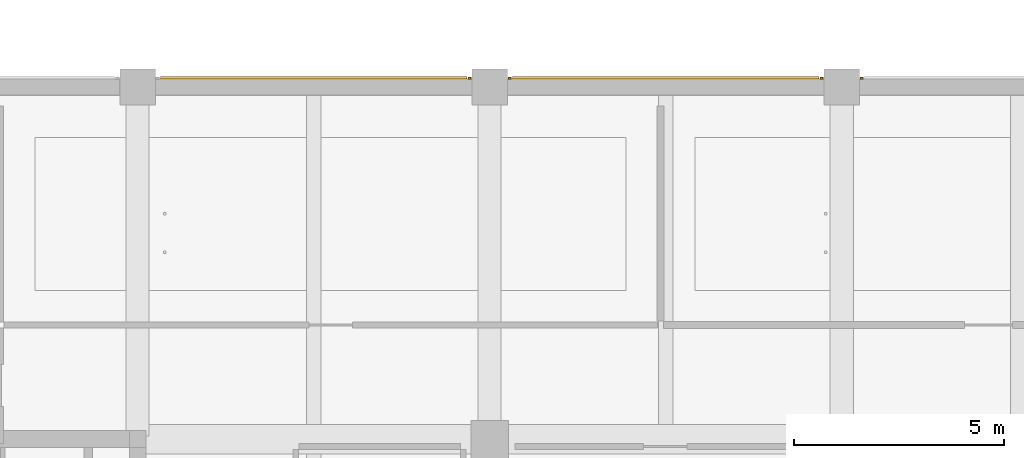
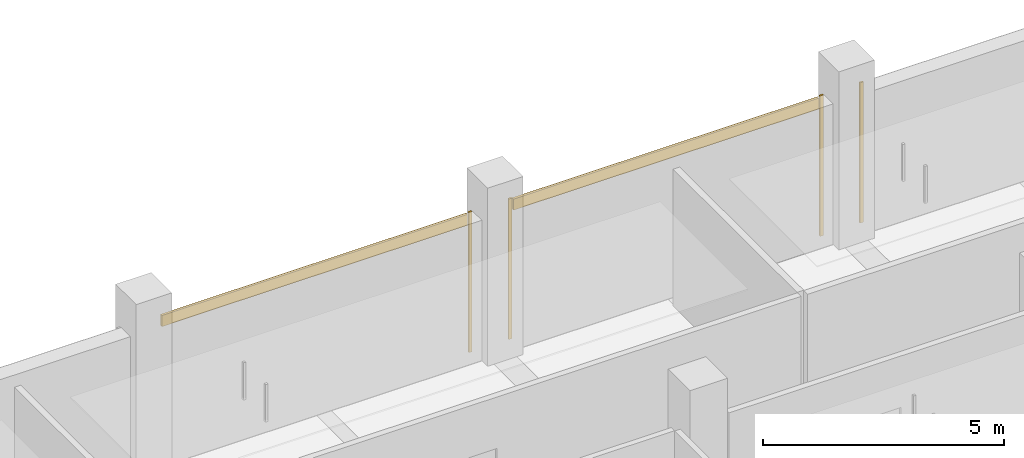
# One storey, part 34 of 39: 6 coverings.
"""IFC4 building model written with IfcOpenShell, lengths in metres."""

from ifc_helpers import new_model, si_unit, direction, frame, origin, origin_2d, place, context, subcontext, project, spatial, rectangle, extrude, material, layer, layer_set, type_object, element, save


model = new_model("IFC4")

# Units and contexts
model_context = context("Model", 3, precision=1e-05, world=origin(), true_north=direction((0.0, 1.0)))
body_context = subcontext(model_context, "Body", "Model", "MODEL_VIEW")
ifc_project = project(units=[si_unit("LENGTHUNIT", "METRE"), si_unit("AREAUNIT", "SQUARE_METRE"), si_unit("VOLUMEUNIT", "CUBIC_METRE"), si_unit("PLANEANGLEUNIT", "RADIAN"), si_unit("MASSUNIT", "GRAM", prefix="KILO")], contexts=[model_context])

# Site, building, storey
site_placement = place(None, origin())
site = spatial("IfcSite", under=ifc_project, at=site_placement, CompositionType="ELEMENT")
building_placement = place(site_placement, origin())
building = spatial("IfcBuilding", under=site, at=building_placement, Name="Telukmera Botanical Conservatory", CompositionType="ELEMENT")
storey_placement = place(building_placement, frame((0.0, 0.0, 19.5)))
storey = spatial("IfcBuildingStorey", under=building, at=storey_placement, Name="L04", CompositionType="ELEMENT", Elevation=19.5)

# Coverings
ifc_material_1 = material(Name="Granite-faced precast concrete C40/50", Category="masonry")
ifc_layer_1 = layer(ifc_material_1, 0.0400390625)
ifc_layer_set_1 = layer_set([ifc_layer_1], Name="Granite-faced precast concrete C40/50")
covering_type_1 = type_object("IfcCoveringType", Name="Granite Precast Column Pier Reveal Casing", PredefinedType="CLADDING", material=ifc_layer_set_1)
for number, where, z_axis, x_axis, name in (
    (1, (75.123046875, 43.010009765625, 0.0), (0.0, 0.0, 1.0), (1.0, 0.0, 0.0), "Granite Pier Reveal V4:L04:N3 R"),
    (2, (76.076904296875, 43.010009765625, 0.0), (0.0, 0.0, 1.0), (1.0, 0.0, 0.0), "Granite Pier Reveal V4:L04:N4 L"),
    (3, (83.52294921875, 43.010009765625, 0.0), (0.0, 0.0, 1.0), (1.0, 0.0, 0.0), "Granite Pier Reveal V4:L04:N4 R"),
    (4, (84.47705078125, 43.010009765625, 0.0), (0.0, 0.0, 1.0), (1.0, 0.0, 0.0), "Granite Pier Reveal V4:L04:N5 L"),
):
    element("IfcCovering", number, at=place(storey_placement, frame(where, z_axis=z_axis, x_axis=x_axis)), inside=storey, type_object=covering_type_1, Name=name, PredefinedType="CLADDING", context=body_context, shape_type="SweptSolid", body=[
        extrude(rectangle(XDim=0.080078125, YDim=0.0400390625, at=origin_2d()), origin(), (0.0, 0.0, 1.0), 3.550048828125),
    ])
ifc_material_2 = material(Name="Terracotta-faced precast concrete C40/50", Category="masonry")
ifc_layer_2 = layer(ifc_material_2, 0.06005859375)
ifc_layer_set_2 = layer_set([ifc_layer_2], Name="Terracotta-faced precast concrete C40/50")
covering_type_2 = type_object("IfcCoveringType", Name="Polychrome Terracotta Facade Band Cladding", PredefinedType="CLADDING", material=ifc_layer_set_2)
for number, where, z_axis, x_axis, name in (
    (5, (71.39990234375, 43.02001953125, 3.22998046875), (0.0, 0.0, 1.0), (1.0, 0.0, 0.0), "Polychrome Terracotta Band V4:L04:N3"),
    (6, (79.800048828125, 43.02001953125, 3.22998046875), (0.0, 0.0, 1.0), (1.0, 0.0, 0.0), "Polychrome Terracotta Band V4:L04:N4"),
):
    element("IfcCovering", number, at=place(storey_placement, frame(where, z_axis=z_axis, x_axis=x_axis)), inside=storey, type_object=covering_type_2, Name=name, PredefinedType="CLADDING", context=body_context, shape_type="SweptSolid", body=[
        extrude(rectangle(XDim=7.305908203125, YDim=0.06005859375, at=origin_2d()), origin(), (0.0, 0.0, 1.0), 0.280029296875),
    ])

save(model, "model.ifc")
